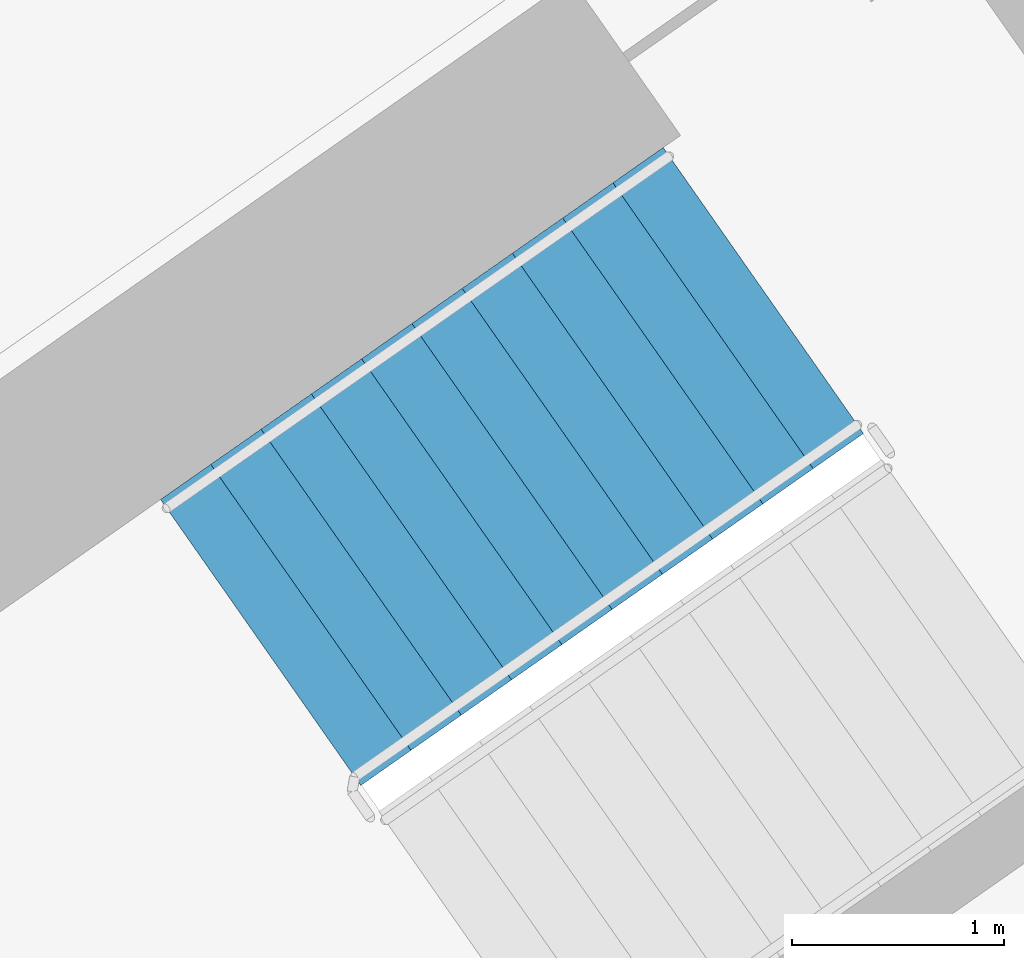
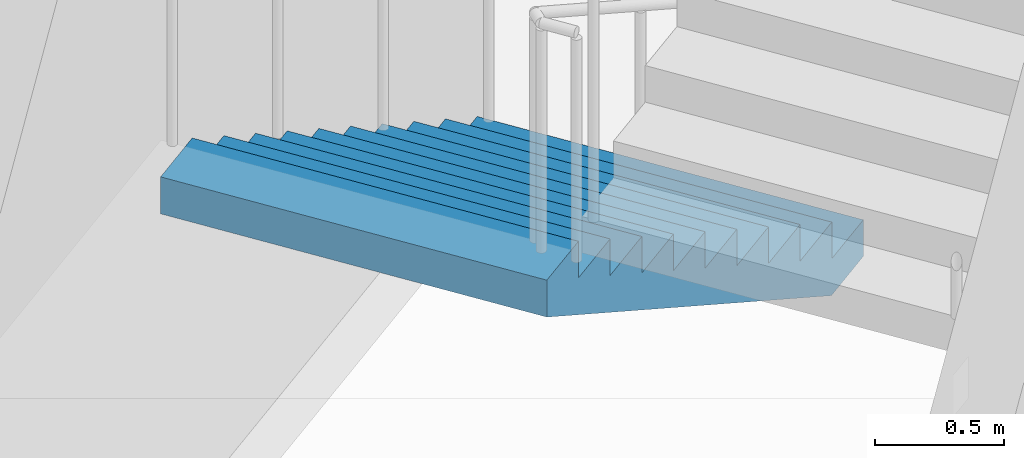
# One storey, part 15 of 30: 1 stair flight, 1 element without a shape of its own.
"""IFC4 building model written with IfcOpenShell, lengths in metres."""

from ifc_helpers import new_model, si_unit, direction, frame, origin, place, context, subcontext, project, spatial, faceted_brep, material, type_object, element, aggregate, save


model = new_model("IFC4")

# Units and contexts
model_context = context("Model", 3, precision=1e-05, world=origin(), true_north=direction((0.0, 1.0)))
body_context = subcontext(model_context, "Body", "Model", "MODEL_VIEW")
ifc_project = project(units=[si_unit("LENGTHUNIT", "METRE"), si_unit("AREAUNIT", "SQUARE_METRE"), si_unit("VOLUMEUNIT", "CUBIC_METRE"), si_unit("PLANEANGLEUNIT", "RADIAN"), si_unit("MASSUNIT", "GRAM", prefix="KILO")], contexts=[model_context])

# Site, building, storey
site_placement = place(None, origin())
site = spatial("IfcSite", under=ifc_project, at=site_placement, CompositionType="ELEMENT")
building_placement = place(site_placement, origin())
building = spatial("IfcBuilding", under=site, at=building_placement, Name="Qamariyya Broadcast Tower", CompositionType="ELEMENT")
storey_placement = place(building_placement, frame((0.0, 0.0, 102.5)))
storey = spatial("IfcBuildingStorey", under=building, at=storey_placement, Name="L22", CompositionType="ELEMENT", Elevation=102.5)

# Stair, stair flight
ifc_material = material(Name="Concrete C50/60", Category="concrete")
stair_type = type_object("IfcStairType", Name="Exit stair 22 risers of 173 mm", PredefinedType="HALF_TURN_STAIR", material=ifc_material)
stair_placement = place(storey_placement, origin())
stair = element("IfcStair", 1, at=stair_placement, inside=storey, type_object=stair_type, Name="L22 Stair E2", PredefinedType="HALF_TURN_STAIR")
stair_flight_type = type_object("IfcStairFlightType", Name="Exit stair flight 11 risers of 173 mm", PredefinedType="STRAIGHT", material=ifc_material)
stair_flight_placement = place(storey_placement, frame((40.558837890625, -47.685302734375, 0.0), z_axis=(0.0, 0.0, 1.0), x_axis=(-0.819152044289, -0.573576436351, 0.0)))
stair_flight = element("IfcStairFlight", 2, at=stair_flight_placement, type_object=stair_flight_type, Name="ST-E2 flight 1", NumberOfRisers=11, NumberOfTreads=10, PredefinedType="STRAIGHT", RiserHeight=0.172727273, TreadLength=0.29, context=body_context, shape_type="Brep", body=[
    faceted_brep([(0.0, 0.824951171875, 0.0), (0.0, 0.824951171875, 0.172607421875), (0.2900390625, 0.824951171875, 0.172607421875), (0.2900390625, 0.824951171875, 0.345458984375), (0.580078125, 0.824951171875, 0.345458984375), (0.580078125, 0.824951171875, 0.51806640625), (0.8701171875, 0.824951171875, 0.51806640625), (0.8701171875, 0.824951171875, 0.69091796875), (1.159912109375, 0.824951171875, 0.69091796875), (1.159912109375, 0.824951171875, 0.863525390625), (1.449951171875, 0.824951171875, 0.863525390625), (1.449951171875, 0.824951171875, 1.036376953125), (1.739990234375, 0.824951171875, 1.036376953125), (1.739990234375, 0.824951171875, 1.208984375), (2.030029296875, 0.824951171875, 1.208984375), (2.030029296875, 0.824951171875, 1.3818359375), (2.320068359375, 0.824951171875, 1.3818359375), (2.320068359375, 0.824951171875, 1.554443359375), (2.610107421875, 0.824951171875, 1.554443359375), (2.610107421875, 0.824951171875, 1.727294921875), (2.89990234375, 0.824951171875, 1.727294921875), (2.89990234375, 0.824951171875, 1.552734375), (0.29296875, 0.824951171875, 0.0), (0.29296875, -0.824951171875, 0.0), (2.89990234375, -0.824951171875, 1.552734375), (2.89990234375, -0.824951171875, 1.727294921875), (2.610107421875, -0.824951171875, 1.727294921875), (2.610107421875, -0.824951171875, 1.554443359375), (2.320068359375, -0.824951171875, 1.554443359375), (2.320068359375, -0.824951171875, 1.3818359375), (2.030029296875, -0.824951171875, 1.3818359375), (2.030029296875, -0.824951171875, 1.208984375), (1.739990234375, -0.824951171875, 1.208984375), (1.739990234375, -0.824951171875, 1.036376953125), (1.449951171875, -0.824951171875, 1.036376953125), (1.449951171875, -0.824951171875, 0.863525390625), (1.159912109375, -0.824951171875, 0.863525390625), (1.159912109375, -0.824951171875, 0.69091796875), (0.8701171875, -0.824951171875, 0.69091796875), (0.8701171875, -0.824951171875, 0.51806640625), (0.580078125, -0.824951171875, 0.51806640625), (0.580078125, -0.824951171875, 0.345458984375), (0.2900390625, -0.824951171875, 0.345458984375), (0.2900390625, -0.824951171875, 0.172607421875), (0.0, -0.824951171875, 0.172607421875), (0.0, -0.824951171875, 0.0), (0.0, 0.10009765625, 0.0), (0.0, 0.086669921875, 0.0), (0.0, 0.0732421875, 0.0), (0.0, 0.06005859375, 0.0), (0.0, 0.046630859375, 0.0), (0.0, 0.033447265625, 0.0), (0.0, 0.02001953125, 0.0), (0.0, 0.006591796875, 0.0), (0.0, -0.006591796875, 0.0), (0.0, -0.02001953125, 0.0), (0.0, -0.033447265625, 0.0), (0.0, -0.046630859375, 0.0), (0.0, -0.06005859375, 0.0), (0.0, -0.0732421875, 0.0), (0.0, -0.086669921875, 0.0), (0.0, -0.10009765625, 0.0), (0.0, -0.10009765625, 0.172607421875), (0.0, -0.086669921875, 0.172607421875), (0.0, -0.0732421875, 0.172607421875), (0.0, -0.06005859375, 0.172607421875), (0.0, -0.046630859375, 0.172607421875), (0.0, -0.033447265625, 0.172607421875), (0.0, -0.02001953125, 0.172607421875), (0.0, -0.006591796875, 0.172607421875), (0.0, 0.006591796875, 0.172607421875), (0.0, 0.02001953125, 0.172607421875), (0.0, 0.033447265625, 0.172607421875), (0.0, 0.046630859375, 0.172607421875), (0.0, 0.06005859375, 0.172607421875), (0.0, 0.0732421875, 0.172607421875), (0.0, 0.086669921875, 0.172607421875), (0.0, 0.10009765625, 0.172607421875), (0.2900390625, -0.10009765625, 0.172607421875), (0.2900390625, -0.086669921875, 0.172607421875), (0.2900390625, -0.0732421875, 0.172607421875), (0.2900390625, -0.06005859375, 0.172607421875), (0.2900390625, -0.046630859375, 0.172607421875), (0.2900390625, -0.033447265625, 0.172607421875), (0.2900390625, -0.02001953125, 0.172607421875), (0.2900390625, -0.006591796875, 0.172607421875), (0.2900390625, 0.006591796875, 0.172607421875), (0.2900390625, 0.02001953125, 0.172607421875), (0.2900390625, 0.033447265625, 0.172607421875), (0.2900390625, 0.046630859375, 0.172607421875), (0.2900390625, 0.06005859375, 0.172607421875), (0.2900390625, 0.0732421875, 0.172607421875), (0.2900390625, 0.086669921875, 0.172607421875), (0.2900390625, 0.10009765625, 0.172607421875), (0.2900390625, -0.10009765625, 0.345458984375), (0.2900390625, -0.086669921875, 0.345458984375), (0.2900390625, -0.0732421875, 0.345458984375), (0.2900390625, -0.06005859375, 0.345458984375), (0.2900390625, -0.046630859375, 0.345458984375), (0.2900390625, -0.033447265625, 0.345458984375), (0.2900390625, -0.02001953125, 0.345458984375), (0.2900390625, -0.006591796875, 0.345458984375), (0.2900390625, 0.006591796875, 0.345458984375), (0.2900390625, 0.02001953125, 0.345458984375), (0.2900390625, 0.033447265625, 0.345458984375), (0.2900390625, 0.046630859375, 0.345458984375), (0.2900390625, 0.06005859375, 0.345458984375), (0.2900390625, 0.0732421875, 0.345458984375), (0.2900390625, 0.086669921875, 0.345458984375), (0.2900390625, 0.10009765625, 0.345458984375), (0.580078125, -0.10009765625, 0.345458984375), (0.580078125, -0.086669921875, 0.345458984375), (0.580078125, -0.0732421875, 0.345458984375), (0.580078125, -0.06005859375, 0.345458984375), (0.580078125, -0.046630859375, 0.345458984375), (0.580078125, -0.033447265625, 0.345458984375), (0.580078125, -0.02001953125, 0.345458984375), (0.580078125, -0.006591796875, 0.345458984375), (0.580078125, 0.006591796875, 0.345458984375), (0.580078125, 0.02001953125, 0.345458984375), (0.580078125, 0.033447265625, 0.345458984375), (0.580078125, 0.046630859375, 0.345458984375), (0.580078125, 0.06005859375, 0.345458984375), (0.580078125, 0.0732421875, 0.345458984375), (0.580078125, 0.086669921875, 0.345458984375), (0.580078125, 0.10009765625, 0.345458984375), (0.580078125, -0.10009765625, 0.51806640625), (0.580078125, -0.086669921875, 0.51806640625), (0.580078125, -0.0732421875, 0.51806640625), (0.580078125, -0.06005859375, 0.51806640625), (0.580078125, -0.046630859375, 0.51806640625), (0.580078125, -0.033447265625, 0.51806640625), (0.580078125, -0.02001953125, 0.51806640625), (0.580078125, -0.006591796875, 0.51806640625), (0.580078125, 0.006591796875, 0.51806640625), (0.580078125, 0.02001953125, 0.51806640625), (0.580078125, 0.033447265625, 0.51806640625), (0.580078125, 0.046630859375, 0.51806640625), (0.580078125, 0.06005859375, 0.51806640625), (0.580078125, 0.0732421875, 0.51806640625), (0.580078125, 0.086669921875, 0.51806640625), (0.580078125, 0.10009765625, 0.51806640625), (0.8701171875, -0.10009765625, 0.51806640625), (0.8701171875, -0.086669921875, 0.51806640625), (0.8701171875, -0.0732421875, 0.51806640625), (0.8701171875, -0.06005859375, 0.51806640625), (0.8701171875, -0.046630859375, 0.51806640625), (0.8701171875, -0.033447265625, 0.51806640625), (0.8701171875, -0.02001953125, 0.51806640625), (0.8701171875, -0.006591796875, 0.51806640625), (0.8701171875, 0.006591796875, 0.51806640625), (0.8701171875, 0.02001953125, 0.51806640625), (0.8701171875, 0.033447265625, 0.51806640625), (0.8701171875, 0.046630859375, 0.51806640625), (0.8701171875, 0.06005859375, 0.51806640625), (0.8701171875, 0.0732421875, 0.51806640625), (0.8701171875, 0.086669921875, 0.51806640625), (0.8701171875, 0.10009765625, 0.51806640625), (0.8701171875, -0.10009765625, 0.69091796875), (0.8701171875, -0.086669921875, 0.69091796875), (0.8701171875, -0.0732421875, 0.69091796875), (0.8701171875, -0.06005859375, 0.69091796875), (0.8701171875, -0.046630859375, 0.69091796875), (0.8701171875, -0.033447265625, 0.69091796875), (0.8701171875, -0.02001953125, 0.69091796875), (0.8701171875, -0.006591796875, 0.69091796875), (0.8701171875, 0.006591796875, 0.69091796875), (0.8701171875, 0.02001953125, 0.69091796875), (0.8701171875, 0.033447265625, 0.69091796875), (0.8701171875, 0.046630859375, 0.69091796875), (0.8701171875, 0.06005859375, 0.69091796875), (0.8701171875, 0.0732421875, 0.69091796875), (0.8701171875, 0.086669921875, 0.69091796875), (0.8701171875, 0.10009765625, 0.69091796875), (1.159912109375, -0.10009765625, 0.69091796875), (1.159912109375, -0.086669921875, 0.69091796875), (1.159912109375, -0.0732421875, 0.69091796875), (1.159912109375, -0.06005859375, 0.69091796875), (1.159912109375, -0.046630859375, 0.69091796875), (1.159912109375, -0.033447265625, 0.69091796875), (1.159912109375, -0.02001953125, 0.69091796875), (1.159912109375, -0.006591796875, 0.69091796875), (1.159912109375, 0.006591796875, 0.69091796875), (1.159912109375, 0.02001953125, 0.69091796875), (1.159912109375, 0.033447265625, 0.69091796875), (1.159912109375, 0.046630859375, 0.69091796875), (1.159912109375, 0.06005859375, 0.69091796875), (1.159912109375, 0.0732421875, 0.69091796875), (1.159912109375, 0.086669921875, 0.69091796875), (1.159912109375, 0.10009765625, 0.69091796875), (1.159912109375, -0.10009765625, 0.863525390625), (1.159912109375, -0.086669921875, 0.863525390625), (1.159912109375, -0.0732421875, 0.863525390625), (1.159912109375, -0.06005859375, 0.863525390625), (1.159912109375, -0.046630859375, 0.863525390625), (1.159912109375, -0.033447265625, 0.863525390625), (1.159912109375, -0.02001953125, 0.863525390625), (1.159912109375, -0.006591796875, 0.863525390625), (1.159912109375, 0.006591796875, 0.863525390625), (1.159912109375, 0.02001953125, 0.863525390625), (1.159912109375, 0.033447265625, 0.863525390625), (1.159912109375, 0.046630859375, 0.863525390625), (1.159912109375, 0.06005859375, 0.863525390625), (1.159912109375, 0.0732421875, 0.863525390625), (1.159912109375, 0.086669921875, 0.863525390625), (1.159912109375, 0.10009765625, 0.863525390625), (1.449951171875, -0.10009765625, 0.863525390625), (1.449951171875, -0.086669921875, 0.863525390625), (1.449951171875, -0.0732421875, 0.863525390625), (1.449951171875, -0.06005859375, 0.863525390625), (1.449951171875, -0.046630859375, 0.863525390625), (1.449951171875, -0.033447265625, 0.863525390625), (1.449951171875, -0.02001953125, 0.863525390625), (1.449951171875, -0.006591796875, 0.863525390625), (1.449951171875, 0.006591796875, 0.863525390625), (1.449951171875, 0.02001953125, 0.863525390625), (1.449951171875, 0.033447265625, 0.863525390625), (1.449951171875, 0.046630859375, 0.863525390625), (1.449951171875, 0.06005859375, 0.863525390625), (1.449951171875, 0.0732421875, 0.863525390625), (1.449951171875, 0.086669921875, 0.863525390625), (1.449951171875, 0.10009765625, 0.863525390625), (1.449951171875, -0.10009765625, 1.036376953125), (1.449951171875, -0.086669921875, 1.036376953125), (1.449951171875, -0.0732421875, 1.036376953125), (1.449951171875, -0.06005859375, 1.036376953125), (1.449951171875, -0.046630859375, 1.036376953125), (1.449951171875, -0.033447265625, 1.036376953125), (1.449951171875, -0.02001953125, 1.036376953125), (1.449951171875, -0.006591796875, 1.036376953125), (1.449951171875, 0.006591796875, 1.036376953125), (1.449951171875, 0.02001953125, 1.036376953125), (1.449951171875, 0.033447265625, 1.036376953125), (1.449951171875, 0.046630859375, 1.036376953125), (1.449951171875, 0.06005859375, 1.036376953125), (1.449951171875, 0.0732421875, 1.036376953125), (1.449951171875, 0.086669921875, 1.036376953125), (1.449951171875, 0.10009765625, 1.036376953125), (1.739990234375, -0.10009765625, 1.036376953125), (1.739990234375, -0.086669921875, 1.036376953125), (1.739990234375, -0.0732421875, 1.036376953125), (1.739990234375, -0.06005859375, 1.036376953125), (1.739990234375, -0.046630859375, 1.036376953125), (1.739990234375, -0.033447265625, 1.036376953125), (1.739990234375, -0.02001953125, 1.036376953125), (1.739990234375, -0.006591796875, 1.036376953125), (1.739990234375, 0.006591796875, 1.036376953125), (1.739990234375, 0.02001953125, 1.036376953125), (1.739990234375, 0.033447265625, 1.036376953125), (1.739990234375, 0.046630859375, 1.036376953125), (1.739990234375, 0.06005859375, 1.036376953125), (1.739990234375, 0.0732421875, 1.036376953125), (1.739990234375, 0.086669921875, 1.036376953125), (1.739990234375, 0.10009765625, 1.036376953125), (1.739990234375, -0.10009765625, 1.208984375), (1.739990234375, -0.086669921875, 1.208984375), (1.739990234375, -0.0732421875, 1.208984375), (1.739990234375, -0.06005859375, 1.208984375), (1.739990234375, -0.046630859375, 1.208984375), (1.739990234375, -0.033447265625, 1.208984375), (1.739990234375, -0.02001953125, 1.208984375), (1.739990234375, -0.006591796875, 1.208984375), (1.739990234375, 0.006591796875, 1.208984375), (1.739990234375, 0.02001953125, 1.208984375), (1.739990234375, 0.033447265625, 1.208984375), (1.739990234375, 0.046630859375, 1.208984375), (1.739990234375, 0.06005859375, 1.208984375), (1.739990234375, 0.0732421875, 1.208984375), (1.739990234375, 0.086669921875, 1.208984375), (1.739990234375, 0.10009765625, 1.208984375), (2.030029296875, -0.10009765625, 1.208984375), (2.030029296875, -0.086669921875, 1.208984375), (2.030029296875, -0.0732421875, 1.208984375), (2.030029296875, -0.06005859375, 1.208984375), (2.030029296875, -0.046630859375, 1.208984375), (2.030029296875, -0.033447265625, 1.208984375), (2.030029296875, -0.02001953125, 1.208984375), (2.030029296875, -0.006591796875, 1.208984375), (2.030029296875, 0.006591796875, 1.208984375), (2.030029296875, 0.02001953125, 1.208984375), (2.030029296875, 0.033447265625, 1.208984375), (2.030029296875, 0.046630859375, 1.208984375), (2.030029296875, 0.06005859375, 1.208984375), (2.030029296875, 0.0732421875, 1.208984375), (2.030029296875, 0.086669921875, 1.208984375), (2.030029296875, 0.10009765625, 1.208984375), (2.030029296875, -0.10009765625, 1.3818359375), (2.030029296875, -0.086669921875, 1.3818359375), (2.030029296875, -0.0732421875, 1.3818359375), (2.030029296875, -0.06005859375, 1.3818359375), (2.030029296875, -0.046630859375, 1.3818359375), (2.030029296875, -0.033447265625, 1.3818359375), (2.030029296875, -0.02001953125, 1.3818359375), (2.030029296875, -0.006591796875, 1.3818359375), (2.030029296875, 0.006591796875, 1.3818359375), (2.030029296875, 0.02001953125, 1.3818359375), (2.030029296875, 0.033447265625, 1.3818359375), (2.030029296875, 0.046630859375, 1.3818359375), (2.030029296875, 0.06005859375, 1.3818359375), (2.030029296875, 0.0732421875, 1.3818359375), (2.030029296875, 0.086669921875, 1.3818359375), (2.030029296875, 0.10009765625, 1.3818359375), (2.320068359375, -0.10009765625, 1.3818359375), (2.320068359375, -0.086669921875, 1.3818359375), (2.320068359375, -0.0732421875, 1.3818359375), (2.320068359375, -0.06005859375, 1.3818359375), (2.320068359375, -0.046630859375, 1.3818359375), (2.320068359375, -0.033447265625, 1.3818359375), (2.320068359375, -0.02001953125, 1.3818359375), (2.320068359375, -0.006591796875, 1.3818359375), (2.320068359375, 0.006591796875, 1.3818359375), (2.320068359375, 0.02001953125, 1.3818359375), (2.320068359375, 0.033447265625, 1.3818359375), (2.320068359375, 0.046630859375, 1.3818359375), (2.320068359375, 0.06005859375, 1.3818359375), (2.320068359375, 0.0732421875, 1.3818359375), (2.320068359375, 0.086669921875, 1.3818359375), (2.320068359375, 0.10009765625, 1.3818359375), (2.320068359375, -0.10009765625, 1.554443359375), (2.320068359375, -0.086669921875, 1.554443359375), (2.320068359375, -0.0732421875, 1.554443359375), (2.320068359375, -0.06005859375, 1.554443359375), (2.320068359375, -0.046630859375, 1.554443359375), (2.320068359375, -0.033447265625, 1.554443359375), (2.320068359375, -0.02001953125, 1.554443359375), (2.320068359375, -0.006591796875, 1.554443359375), (2.320068359375, 0.006591796875, 1.554443359375), (2.320068359375, 0.02001953125, 1.554443359375), (2.320068359375, 0.033447265625, 1.554443359375), (2.320068359375, 0.046630859375, 1.554443359375), (2.320068359375, 0.06005859375, 1.554443359375), (2.320068359375, 0.0732421875, 1.554443359375), (2.320068359375, 0.086669921875, 1.554443359375), (2.320068359375, 0.10009765625, 1.554443359375), (2.610107421875, -0.10009765625, 1.554443359375), (2.610107421875, -0.086669921875, 1.554443359375), (2.610107421875, -0.0732421875, 1.554443359375), (2.610107421875, -0.06005859375, 1.554443359375), (2.610107421875, -0.046630859375, 1.554443359375), (2.610107421875, -0.033447265625, 1.554443359375), (2.610107421875, -0.02001953125, 1.554443359375), (2.610107421875, -0.006591796875, 1.554443359375), (2.610107421875, 0.006591796875, 1.554443359375), (2.610107421875, 0.02001953125, 1.554443359375), (2.610107421875, 0.033447265625, 1.554443359375), (2.610107421875, 0.046630859375, 1.554443359375), (2.610107421875, 0.06005859375, 1.554443359375), (2.610107421875, 0.0732421875, 1.554443359375), (2.610107421875, 0.086669921875, 1.554443359375), (2.610107421875, 0.10009765625, 1.554443359375), (2.610107421875, -0.10009765625, 1.727294921875), (2.610107421875, -0.086669921875, 1.727294921875), (2.610107421875, -0.0732421875, 1.727294921875), (2.610107421875, -0.06005859375, 1.727294921875), (2.610107421875, -0.046630859375, 1.727294921875), (2.610107421875, -0.033447265625, 1.727294921875), (2.610107421875, -0.02001953125, 1.727294921875), (2.610107421875, -0.006591796875, 1.727294921875), (2.610107421875, 0.006591796875, 1.727294921875), (2.610107421875, 0.02001953125, 1.727294921875), (2.610107421875, 0.033447265625, 1.727294921875), (2.610107421875, 0.046630859375, 1.727294921875), (2.610107421875, 0.06005859375, 1.727294921875), (2.610107421875, 0.0732421875, 1.727294921875), (2.610107421875, 0.086669921875, 1.727294921875), (2.610107421875, 0.10009765625, 1.727294921875), (2.89990234375, -0.10009765625, 1.727294921875), (2.89990234375, -0.086669921875, 1.727294921875), (2.89990234375, -0.0732421875, 1.727294921875), (2.89990234375, -0.06005859375, 1.727294921875), (2.89990234375, -0.046630859375, 1.727294921875), (2.89990234375, -0.033447265625, 1.727294921875), (2.89990234375, -0.02001953125, 1.727294921875), (2.89990234375, -0.006591796875, 1.727294921875), (2.89990234375, 0.006591796875, 1.727294921875), (2.89990234375, 0.02001953125, 1.727294921875), (2.89990234375, 0.033447265625, 1.727294921875), (2.89990234375, 0.046630859375, 1.727294921875), (2.89990234375, 0.06005859375, 1.727294921875), (2.89990234375, 0.0732421875, 1.727294921875), (2.89990234375, 0.086669921875, 1.727294921875), (2.89990234375, 0.10009765625, 1.727294921875), (2.89990234375, -0.10009765625, 1.552734375), (2.89990234375, -0.086669921875, 1.552734375), (2.89990234375, -0.0732421875, 1.552734375), (2.89990234375, -0.06005859375, 1.552734375), (2.89990234375, -0.046630859375, 1.552734375), (2.89990234375, -0.033447265625, 1.552734375), (2.89990234375, -0.02001953125, 1.552734375), (2.89990234375, -0.006591796875, 1.552734375), (2.89990234375, 0.006591796875, 1.552734375), (2.89990234375, 0.02001953125, 1.552734375), (2.89990234375, 0.033447265625, 1.552734375), (2.89990234375, 0.046630859375, 1.552734375), (2.89990234375, 0.06005859375, 1.552734375), (2.89990234375, 0.0732421875, 1.552734375), (2.89990234375, 0.086669921875, 1.552734375), (2.89990234375, 0.10009765625, 1.552734375), (0.29296875, -0.10009765625, 0.0), (0.29296875, -0.086669921875, 0.0), (0.29296875, -0.0732421875, 0.0), (0.29296875, -0.06005859375, 0.0), (0.29296875, -0.046630859375, 0.0), (0.29296875, -0.033447265625, 0.0), (0.29296875, -0.02001953125, 0.0), (0.29296875, -0.006591796875, 0.0), (0.29296875, 0.006591796875, 0.0), (0.29296875, 0.02001953125, 0.0), (0.29296875, 0.033447265625, 0.0), (0.29296875, 0.046630859375, 0.0), (0.29296875, 0.06005859375, 0.0), (0.29296875, 0.0732421875, 0.0), (0.29296875, 0.086669921875, 0.0), (0.29296875, 0.10009765625, 0.0)], [[[0, 1, 2, 3, 4, 5, 6, 7, 8, 9, 10, 11, 12, 13, 14, 15, 16, 17, 18, 19, 20, 21, 22]], [[23, 24, 25, 26, 27, 28, 29, 30, 31, 32, 33, 34, 35, 36, 37, 38, 39, 40, 41, 42, 43, 44, 45]], [[0, 46, 47, 48, 49, 50, 51, 52, 53, 54, 55, 56, 57, 58, 59, 60, 61, 45, 44, 62, 63, 64, 65, 66, 67, 68, 69, 70, 71, 72, 73, 74, 75, 76, 77, 1]], [[1, 77, 76, 75, 74, 73, 72, 71, 70, 69, 68, 67, 66, 65, 64, 63, 62, 44, 43, 78, 79, 80, 81, 82, 83, 84, 85, 86, 87, 88, 89, 90, 91, 92, 93, 2]], [[2, 93, 92, 91, 90, 89, 88, 87, 86, 85, 84, 83, 82, 81, 80, 79, 78, 43, 42, 94, 95, 96, 97, 98, 99, 100, 101, 102, 103, 104, 105, 106, 107, 108, 109, 3]], [[3, 109, 108, 107, 106, 105, 104, 103, 102, 101, 100, 99, 98, 97, 96, 95, 94, 42, 41, 110, 111, 112, 113, 114, 115, 116, 117, 118, 119, 120, 121, 122, 123, 124, 125, 4]], [[4, 125, 124, 123, 122, 121, 120, 119, 118, 117, 116, 115, 114, 113, 112, 111, 110, 41, 40, 126, 127, 128, 129, 130, 131, 132, 133, 134, 135, 136, 137, 138, 139, 140, 141, 5]], [[5, 141, 140, 139, 138, 137, 136, 135, 134, 133, 132, 131, 130, 129, 128, 127, 126, 40, 39, 142, 143, 144, 145, 146, 147, 148, 149, 150, 151, 152, 153, 154, 155, 156, 157, 6]], [[6, 157, 156, 155, 154, 153, 152, 151, 150, 149, 148, 147, 146, 145, 144, 143, 142, 39, 38, 158, 159, 160, 161, 162, 163, 164, 165, 166, 167, 168, 169, 170, 171, 172, 173, 7]], [[7, 173, 172, 171, 170, 169, 168, 167, 166, 165, 164, 163, 162, 161, 160, 159, 158, 38, 37, 174, 175, 176, 177, 178, 179, 180, 181, 182, 183, 184, 185, 186, 187, 188, 189, 8]], [[8, 189, 188, 187, 186, 185, 184, 183, 182, 181, 180, 179, 178, 177, 176, 175, 174, 37, 36, 190, 191, 192, 193, 194, 195, 196, 197, 198, 199, 200, 201, 202, 203, 204, 205, 9]], [[9, 205, 204, 203, 202, 201, 200, 199, 198, 197, 196, 195, 194, 193, 192, 191, 190, 36, 35, 206, 207, 208, 209, 210, 211, 212, 213, 214, 215, 216, 217, 218, 219, 220, 221, 10]], [[10, 221, 220, 219, 218, 217, 216, 215, 214, 213, 212, 211, 210, 209, 208, 207, 206, 35, 34, 222, 223, 224, 225, 226, 227, 228, 229, 230, 231, 232, 233, 234, 235, 236, 237, 11]], [[11, 237, 236, 235, 234, 233, 232, 231, 230, 229, 228, 227, 226, 225, 224, 223, 222, 34, 33, 238, 239, 240, 241, 242, 243, 244, 245, 246, 247, 248, 249, 250, 251, 252, 253, 12]], [[12, 253, 252, 251, 250, 249, 248, 247, 246, 245, 244, 243, 242, 241, 240, 239, 238, 33, 32, 254, 255, 256, 257, 258, 259, 260, 261, 262, 263, 264, 265, 266, 267, 268, 269, 13]], [[13, 269, 268, 267, 266, 265, 264, 263, 262, 261, 260, 259, 258, 257, 256, 255, 254, 32, 31, 270, 271, 272, 273, 274, 275, 276, 277, 278, 279, 280, 281, 282, 283, 284, 285, 14]], [[14, 285, 284, 283, 282, 281, 280, 279, 278, 277, 276, 275, 274, 273, 272, 271, 270, 31, 30, 286, 287, 288, 289, 290, 291, 292, 293, 294, 295, 296, 297, 298, 299, 300, 301, 15]], [[15, 301, 300, 299, 298, 297, 296, 295, 294, 293, 292, 291, 290, 289, 288, 287, 286, 30, 29, 302, 303, 304, 305, 306, 307, 308, 309, 310, 311, 312, 313, 314, 315, 316, 317, 16]], [[16, 317, 316, 315, 314, 313, 312, 311, 310, 309, 308, 307, 306, 305, 304, 303, 302, 29, 28, 318, 319, 320, 321, 322, 323, 324, 325, 326, 327, 328, 329, 330, 331, 332, 333, 17]], [[17, 333, 332, 331, 330, 329, 328, 327, 326, 325, 324, 323, 322, 321, 320, 319, 318, 28, 27, 334, 335, 336, 337, 338, 339, 340, 341, 342, 343, 344, 345, 346, 347, 348, 349, 18]], [[18, 349, 348, 347, 346, 345, 344, 343, 342, 341, 340, 339, 338, 337, 336, 335, 334, 27, 26, 350, 351, 352, 353, 354, 355, 356, 357, 358, 359, 360, 361, 362, 363, 364, 365, 19]], [[19, 365, 364, 363, 362, 361, 360, 359, 358, 357, 356, 355, 354, 353, 352, 351, 350, 26, 25, 366, 367, 368, 369, 370, 371, 372, 373, 374, 375, 376, 377, 378, 379, 380, 381, 20]], [[20, 381, 380, 379, 378, 377, 376, 375, 374, 373, 372, 371, 370, 369, 368, 367, 366, 25, 24, 382, 383, 384, 385, 386, 387, 388, 389, 390, 391, 392, 393, 394, 395, 396, 397, 21]], [[21, 397, 396, 395, 394, 393, 392, 391, 390, 389, 388, 387, 386, 385, 384, 383, 382, 24, 23, 398, 399, 400, 401, 402, 403, 404, 405, 406, 407, 408, 409, 410, 411, 412, 413, 22]], [[22, 413, 412, 411, 410, 409, 408, 407, 406, 405, 404, 403, 402, 401, 400, 399, 398, 23, 45, 61, 60, 59, 58, 57, 56, 55, 54, 53, 52, 51, 50, 49, 48, 47, 46, 0]]]),
])
aggregate(stair, [stair_flight])

save(model, "model.ifc")
